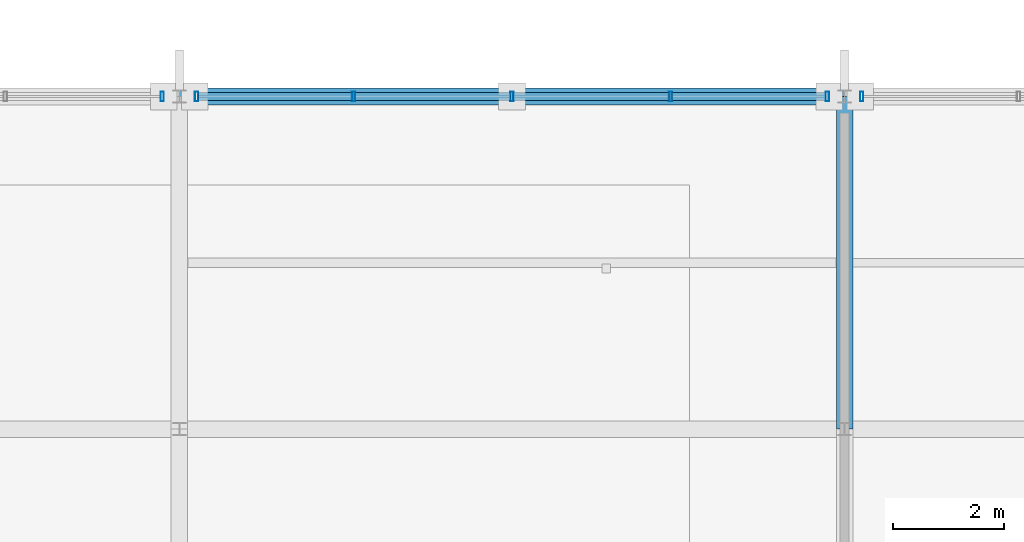
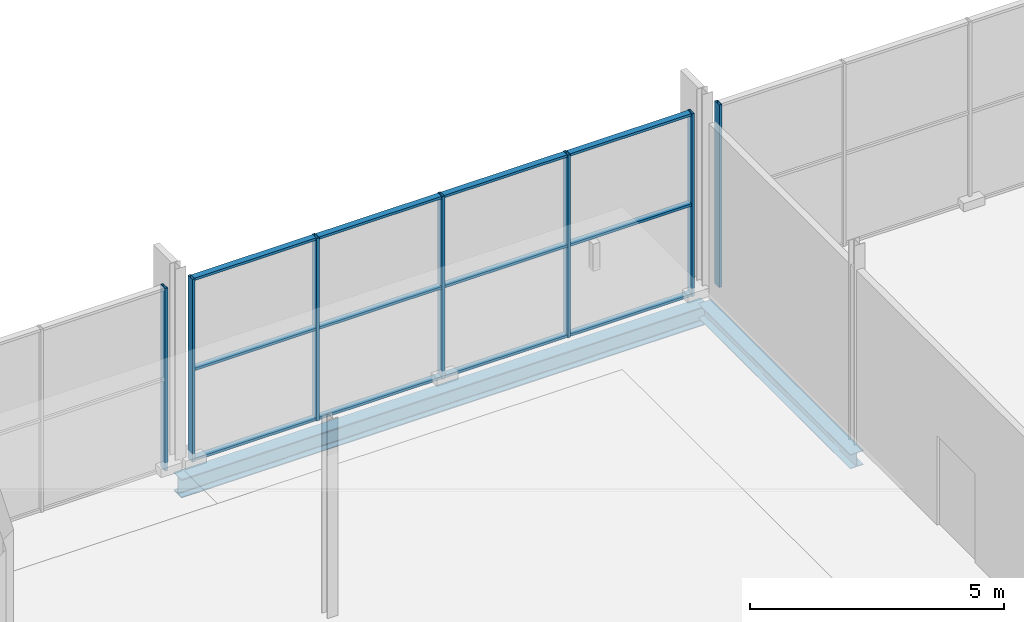
# One storey, part 66 of 159: 19 members, 2 beams, 3 elements without a shape of their own.
"""IFC4 building model written with IfcOpenShell, lengths in metres."""

from ifc_helpers import new_model, si_unit, direction, frame, origin, origin_2d, place, context, subcontext, project, spatial, hollow_rectangle, i_section, extrude, material, material_profile, profile_set, type_object, element, aggregate, save


model = new_model("IFC4")

# Units and contexts
model_context = context("Model", 3, precision=1e-05, world=origin(), true_north=direction((0.0, 1.0)))
body_context = subcontext(model_context, "Body", "Model", "MODEL_VIEW")
ifc_project = project(units=[si_unit("LENGTHUNIT", "METRE"), si_unit("AREAUNIT", "SQUARE_METRE"), si_unit("VOLUMEUNIT", "CUBIC_METRE"), si_unit("PLANEANGLEUNIT", "RADIAN"), si_unit("MASSUNIT", "GRAM", prefix="KILO")], contexts=[model_context])

# Site, building, storey
site_placement = place(None, origin())
site = spatial("IfcSite", under=ifc_project, at=site_placement, CompositionType="ELEMENT")
building_placement = place(site_placement, origin())
building = spatial("IfcBuilding", under=site, at=building_placement, Name="Merenkruunu Market Hall", CompositionType="ELEMENT")
storey_placement = place(building_placement, frame((0.0, 0.0, 5.39990234375)))
storey = spatial("IfcBuildingStorey", under=building, at=storey_placement, Name="L01", CompositionType="ELEMENT", Elevation=5.39990234375)

# Curtain wall, member
ifc_material_1 = material(Name="Powder-coated aluminium", Category="aluminium")
curtain_wall_type = type_object("IfcCurtainWallType", Name="Glazed Curtain Wall CW05", PredefinedType="USERDEFINED", material=ifc_material_1)
curtain_wall_1_placement = place(storey_placement, origin())
curtain_wall_1 = element("IfcCurtainWall", 1, at=curtain_wall_1_placement, inside=storey, type_object=curtain_wall_type, Name="CW-L01-CWM02-189", ObjectType="GLAZED_FACADE", PredefinedType="USERDEFINED")
ifc_material_profile_1 = material_profile(ifc_material_1, hollow_rectangle(XDim=0.06005859375, YDim=0.179931640625, WallThickness=0.00390625, at=origin_2d()), Name="ALU 60x180x4")
ifc_profile_set_1 = profile_set([ifc_material_profile_1], Name="Powder-coated aluminium")
member_type_1 = type_object("IfcMemberType", Name="Curtain Wall Mullion CWM02", PredefinedType="MULLION", material=ifc_profile_set_1)
member_1_placement = place(storey_placement, frame((112.489990234375, 45.60009765625, 0.0), z_axis=(0.0, 0.0, 1.0), x_axis=(1.0, 0.0, 0.0)))
member_1 = element("IfcMember", 2, at=member_1_placement, type_object=member_type_1, Name="CW05 mullion 5", PredefinedType="MULLION", context=body_context, shape_type="SweptSolid", body=[
    extrude(hollow_rectangle(XDim=0.06005859375, YDim=0.179931640625, WallThickness=0.00390625, at=origin_2d()), origin(), (0.0, 0.0, 1.0), 4.400146484375),
])
aggregate(curtain_wall_1, [member_1])

# Curtain wall, members
curtain_wall_2_placement = place(storey_placement, origin())
curtain_wall_2 = element("IfcCurtainWall", 3, at=curtain_wall_2_placement, inside=storey, type_object=curtain_wall_type, Name="CW-L01-CWM02-193", ObjectType="GLAZED_FACADE", PredefinedType="USERDEFINED")
member_2_placement = place(storey_placement, frame((113.110107421875, 45.60009765625, 0.0), z_axis=(0.0, 0.0, 1.0), x_axis=(1.0, 0.0, 0.0)))
member_2 = element("IfcMember", 4, at=member_2_placement, type_object=member_type_1, Name="CW05 mullion 1", PredefinedType="MULLION", context=body_context, shape_type="SweptSolid", body=[
    extrude(hollow_rectangle(XDim=0.06005859375, YDim=0.179931640625, WallThickness=0.00390625, at=origin_2d()), origin(), (0.0, 0.0, 1.0), 4.400146484375),
])
member_3_placement = place(storey_placement, frame((115.93994140625, 45.60009765625, 0.0), z_axis=(0.0, 0.0, 1.0), x_axis=(1.0, 0.0, 0.0)))
member_3 = element("IfcMember", 5, at=member_3_placement, type_object=member_type_1, Name="CW05 mullion 2", PredefinedType="MULLION", context=body_context, shape_type="SweptSolid", body=[
    extrude(hollow_rectangle(XDim=0.06005859375, YDim=0.179931640625, WallThickness=0.00390625, at=origin_2d()), origin(), (0.0, 0.0, 1.0), 4.400146484375),
])
member_4_placement = place(storey_placement, frame((118.800048828125, 45.60009765625, 0.0), z_axis=(0.0, 0.0, 1.0), x_axis=(1.0, 0.0, 0.0)))
member_4 = element("IfcMember", 6, at=member_4_placement, type_object=member_type_1, Name="CW05 mullion 3", PredefinedType="MULLION", context=body_context, shape_type="SweptSolid", body=[
    extrude(hollow_rectangle(XDim=0.06005859375, YDim=0.179931640625, WallThickness=0.00390625, at=origin_2d()), origin(), (0.0, 0.0, 1.0), 4.400146484375),
])
member_5_placement = place(storey_placement, frame((121.659912109375, 45.60009765625, 0.0), z_axis=(0.0, 0.0, 1.0), x_axis=(1.0, 0.0, 0.0)))
member_5 = element("IfcMember", 7, at=member_5_placement, type_object=member_type_1, Name="CW05 mullion 4", PredefinedType="MULLION", context=body_context, shape_type="SweptSolid", body=[
    extrude(hollow_rectangle(XDim=0.06005859375, YDim=0.179931640625, WallThickness=0.00390625, at=origin_2d()), origin(), (0.0, 0.0, 1.0), 4.400146484375),
])
member_6_placement = place(storey_placement, frame((124.489990234375, 45.60009765625, 0.0), z_axis=(0.0, 0.0, 1.0), x_axis=(1.0, 0.0, 0.0)))
member_6 = element("IfcMember", 8, at=member_6_placement, type_object=member_type_1, Name="CW05 mullion 5", PredefinedType="MULLION", context=body_context, shape_type="SweptSolid", body=[
    extrude(hollow_rectangle(XDim=0.06005859375, YDim=0.179931640625, WallThickness=0.00390625, at=origin_2d()), origin(), (0.0, 0.0, 1.0), 4.400146484375),
])

# Curtain wall, member
curtain_wall_3_placement = place(storey_placement, origin())
curtain_wall_3 = element("IfcCurtainWall", 9, at=curtain_wall_3_placement, inside=storey, type_object=curtain_wall_type, Name="CW-L01-CWM02-197", ObjectType="GLAZED_FACADE", PredefinedType="USERDEFINED")
member_7_placement = place(storey_placement, frame((125.110107421875, 45.60009765625, 0.0), z_axis=(0.0, 0.0, 1.0), x_axis=(1.0, 0.0, 0.0)))
member_7 = element("IfcMember", 10, at=member_7_placement, type_object=member_type_1, Name="CW05 mullion 1", PredefinedType="MULLION", context=body_context, shape_type="SweptSolid", body=[
    extrude(hollow_rectangle(XDim=0.06005859375, YDim=0.179931640625, WallThickness=0.00390625, at=origin_2d()), origin(), (0.0, 0.0, 1.0), 4.400146484375),
])
aggregate(curtain_wall_3, [member_7])

# Member
ifc_material_profile_2 = material_profile(ifc_material_1, hollow_rectangle(XDim=0.06005859375, YDim=0.139892578125, WallThickness=0.00390625, at=origin_2d()), Name="ALU 60x140x4")
ifc_profile_set_2 = profile_set([ifc_material_profile_2], Name="Powder-coated aluminium")
member_type_2 = type_object("IfcMemberType", Name="Curtain Wall Transom CWT02", PredefinedType="USERDEFINED", material=ifc_profile_set_2)
member_8_placement = place(storey_placement, frame((113.139892578125, 45.60009765625, 0.030029296875), z_axis=(1.0, 0.0, 0.0), x_axis=(0.0, 0.0, 1.0)))
member_8 = element("IfcMember", 11, at=member_8_placement, type_object=member_type_2, Name="CW05 transom 1.1", ObjectType="TRANSOM", PredefinedType="USERDEFINED", context=body_context, shape_type="SweptSolid", body=[
    extrude(hollow_rectangle(XDim=0.06005859375, YDim=0.139892578125, WallThickness=0.00390625, at=origin_2d()), origin(), (0.0, 0.0, 1.0), 2.77001953125),
])

member_9_placement = place(storey_placement, frame((113.139892578125, 45.60009765625, 2.2001953125), z_axis=(1.0, 0.0, 0.0), x_axis=(0.0, 0.0, 1.0)))
member_9 = element("IfcMember", 12, at=member_9_placement, type_object=member_type_2, Name="CW05 transom 1.2", ObjectType="TRANSOM", PredefinedType="USERDEFINED", context=body_context, shape_type="SweptSolid", body=[
    extrude(hollow_rectangle(XDim=0.06005859375, YDim=0.139892578125, WallThickness=0.00390625, at=origin_2d()), origin(), (0.0, 0.0, 1.0), 2.77001953125),
])

member_10_placement = place(storey_placement, frame((113.139892578125, 45.60009765625, 4.3701171875), z_axis=(1.0, 0.0, 0.0), x_axis=(0.0, 0.0, 1.0)))
member_10 = element("IfcMember", 13, at=member_10_placement, type_object=member_type_2, Name="CW05 transom 1.3", ObjectType="TRANSOM", PredefinedType="USERDEFINED", context=body_context, shape_type="SweptSolid", body=[
    extrude(hollow_rectangle(XDim=0.06005859375, YDim=0.139892578125, WallThickness=0.00390625, at=origin_2d()), origin(), (0.0, 0.0, 1.0), 2.77001953125),
])

member_11_placement = place(storey_placement, frame((115.969970703125, 45.60009765625, 0.030029296875), z_axis=(1.0, 0.0, 0.0), x_axis=(0.0, 0.0, 1.0)))
member_11 = element("IfcMember", 14, at=member_11_placement, type_object=member_type_2, Name="CW05 transom 2.1", ObjectType="TRANSOM", PredefinedType="USERDEFINED", context=body_context, shape_type="SweptSolid", body=[
    extrude(hollow_rectangle(XDim=0.06005859375, YDim=0.139892578125, WallThickness=0.00390625, at=origin_2d()), origin(), (0.0, 0.0, 1.0), 2.800048828125),
])

member_12_placement = place(storey_placement, frame((115.969970703125, 45.60009765625, 2.2001953125), z_axis=(1.0, 0.0, 0.0), x_axis=(0.0, 0.0, 1.0)))
member_12 = element("IfcMember", 15, at=member_12_placement, type_object=member_type_2, Name="CW05 transom 2.2", ObjectType="TRANSOM", PredefinedType="USERDEFINED", context=body_context, shape_type="SweptSolid", body=[
    extrude(hollow_rectangle(XDim=0.06005859375, YDim=0.139892578125, WallThickness=0.00390625, at=origin_2d()), origin(), (0.0, 0.0, 1.0), 2.800048828125),
])

member_13_placement = place(storey_placement, frame((115.969970703125, 45.60009765625, 4.3701171875), z_axis=(1.0, 0.0, 0.0), x_axis=(0.0, 0.0, 1.0)))
member_13 = element("IfcMember", 16, at=member_13_placement, type_object=member_type_2, Name="CW05 transom 2.3", ObjectType="TRANSOM", PredefinedType="USERDEFINED", context=body_context, shape_type="SweptSolid", body=[
    extrude(hollow_rectangle(XDim=0.06005859375, YDim=0.139892578125, WallThickness=0.00390625, at=origin_2d()), origin(), (0.0, 0.0, 1.0), 2.800048828125),
])

member_14_placement = place(storey_placement, frame((118.830078125, 45.60009765625, 0.030029296875), z_axis=(1.0, 0.0, 0.0), x_axis=(0.0, 0.0, 1.0)))
member_14 = element("IfcMember", 17, at=member_14_placement, type_object=member_type_2, Name="CW05 transom 3.1", ObjectType="TRANSOM", PredefinedType="USERDEFINED", context=body_context, shape_type="SweptSolid", body=[
    extrude(hollow_rectangle(XDim=0.06005859375, YDim=0.139892578125, WallThickness=0.00390625, at=origin_2d()), origin(), (0.0, 0.0, 1.0), 2.7998046875),
])

member_15_placement = place(storey_placement, frame((118.830078125, 45.60009765625, 2.2001953125), z_axis=(1.0, 0.0, 0.0), x_axis=(0.0, 0.0, 1.0)))
member_15 = element("IfcMember", 18, at=member_15_placement, type_object=member_type_2, Name="CW05 transom 3.2", ObjectType="TRANSOM", PredefinedType="USERDEFINED", context=body_context, shape_type="SweptSolid", body=[
    extrude(hollow_rectangle(XDim=0.06005859375, YDim=0.139892578125, WallThickness=0.00390625, at=origin_2d()), origin(), (0.0, 0.0, 1.0), 2.7998046875),
])

member_16_placement = place(storey_placement, frame((118.830078125, 45.60009765625, 4.3701171875), z_axis=(1.0, 0.0, 0.0), x_axis=(0.0, 0.0, 1.0)))
member_16 = element("IfcMember", 19, at=member_16_placement, type_object=member_type_2, Name="CW05 transom 3.3", ObjectType="TRANSOM", PredefinedType="USERDEFINED", context=body_context, shape_type="SweptSolid", body=[
    extrude(hollow_rectangle(XDim=0.06005859375, YDim=0.139892578125, WallThickness=0.00390625, at=origin_2d()), origin(), (0.0, 0.0, 1.0), 2.7998046875),
])

member_17_placement = place(storey_placement, frame((121.68994140625, 45.60009765625, 0.030029296875), z_axis=(1.0, 0.0, 0.0), x_axis=(0.0, 0.0, 1.0)))
member_17 = element("IfcMember", 20, at=member_17_placement, type_object=member_type_2, Name="CW05 transom 4.1", ObjectType="TRANSOM", PredefinedType="USERDEFINED", context=body_context, shape_type="SweptSolid", body=[
    extrude(hollow_rectangle(XDim=0.06005859375, YDim=0.139892578125, WallThickness=0.00390625, at=origin_2d()), origin(), (0.0, 0.0, 1.0), 2.77001953125),
])

member_18_placement = place(storey_placement, frame((121.68994140625, 45.60009765625, 2.2001953125), z_axis=(1.0, 0.0, 0.0), x_axis=(0.0, 0.0, 1.0)))
member_18 = element("IfcMember", 21, at=member_18_placement, type_object=member_type_2, Name="CW05 transom 4.2", ObjectType="TRANSOM", PredefinedType="USERDEFINED", context=body_context, shape_type="SweptSolid", body=[
    extrude(hollow_rectangle(XDim=0.06005859375, YDim=0.139892578125, WallThickness=0.00390625, at=origin_2d()), origin(), (0.0, 0.0, 1.0), 2.77001953125),
])

member_19_placement = place(storey_placement, frame((121.68994140625, 45.60009765625, 4.3701171875), z_axis=(1.0, 0.0, 0.0), x_axis=(0.0, 0.0, 1.0)))
member_19 = element("IfcMember", 22, at=member_19_placement, type_object=member_type_2, Name="CW05 transom 4.3", ObjectType="TRANSOM", PredefinedType="USERDEFINED", context=body_context, shape_type="SweptSolid", body=[
    extrude(hollow_rectangle(XDim=0.06005859375, YDim=0.139892578125, WallThickness=0.00390625, at=origin_2d()), origin(), (0.0, 0.0, 1.0), 2.77001953125),
])

aggregate(curtain_wall_2, [member_2, member_3, member_4, member_5, member_6, member_8, member_9, member_10, member_11, member_12, member_13, member_14, member_15, member_16, member_17, member_18, member_19])

# Beams
ifc_material_2 = material(Name="Steel S355J2", Category="steel")
ifc_material_profile_3 = material_profile(ifc_material_2, i_section(OverallWidth=0.300048828125, OverallDepth=0.449951171875, WebThickness=0.013916015625, FlangeThickness=0.02587890625, FilletRadius=0.027099609375, at=origin_2d()), Name="HEB 450")
ifc_profile_set_3 = profile_set([ifc_material_profile_3], Name="Steel S355J2")
beam_type_1 = type_object("IfcBeamType", Name="Primary Floor Girder B03", PredefinedType="BEAM", material=ifc_profile_set_3)
beam_1_placement = place(storey_placement, frame((112.800048828125, 45.60009765625, -0.5048828125), z_axis=(1.0, 0.0, 0.0), x_axis=(0.0, 1.0, 0.0)))
element("IfcBeam", 23, at=beam_1_placement, inside=storey, type_object=beam_type_1, Name="BM-L01-B03-0512", PredefinedType="BEAM", context=body_context, shape_type="SweptSolid", body=[
    extrude(i_section(OverallWidth=0.300048828125, OverallDepth=0.449951171875, WebThickness=0.013916015625, FlangeThickness=0.02587890625, FilletRadius=0.027099609375, at=origin_2d()), origin(), (0.0, 0.0, 1.0), 12.0),
])
ifc_material_profile_4 = material_profile(ifc_material_2, i_section(OverallWidth=0.300048828125, OverallDepth=0.35009765625, WebThickness=0.010009765625, FlangeThickness=0.017578125, FilletRadius=0.027099609375, at=origin_2d()), Name="HEA 360")
ifc_profile_set_4 = profile_set([ifc_material_profile_4], Name="Steel S355J2")
beam_type_2 = type_object("IfcBeamType", Name="Primary Floor Girder B08", PredefinedType="BEAM", material=ifc_profile_set_4)
beam_2_placement = place(storey_placement, frame((124.800048828125, 39.60009765625, -0.454833984375), z_axis=(0.0, 1.0, 0.0), x_axis=(-1.0, 0.0, 0.0)))
element("IfcBeam", 24, at=beam_2_placement, inside=storey, type_object=beam_type_2, Name="BM-L01-B08-0612", PredefinedType="BEAM", context=body_context, shape_type="SweptSolid", body=[
    extrude(i_section(OverallWidth=0.300048828125, OverallDepth=0.35009765625, WebThickness=0.010009765625, FlangeThickness=0.017578125, FilletRadius=0.027099609375, at=origin_2d()), origin(), (0.0, 0.0, 1.0), 6.0),
])

save(model, "model.ifc")
